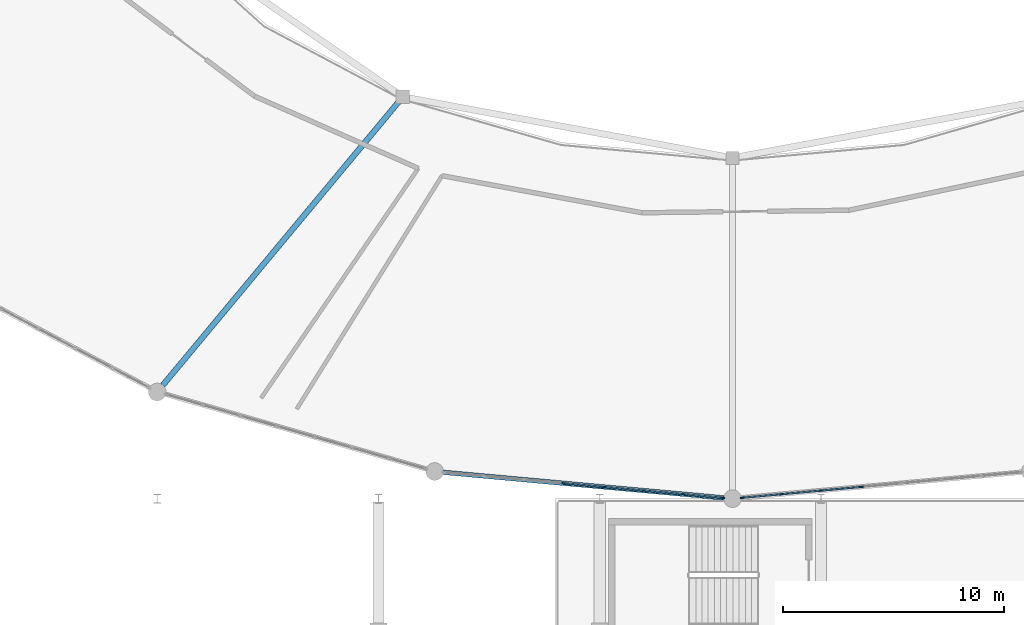
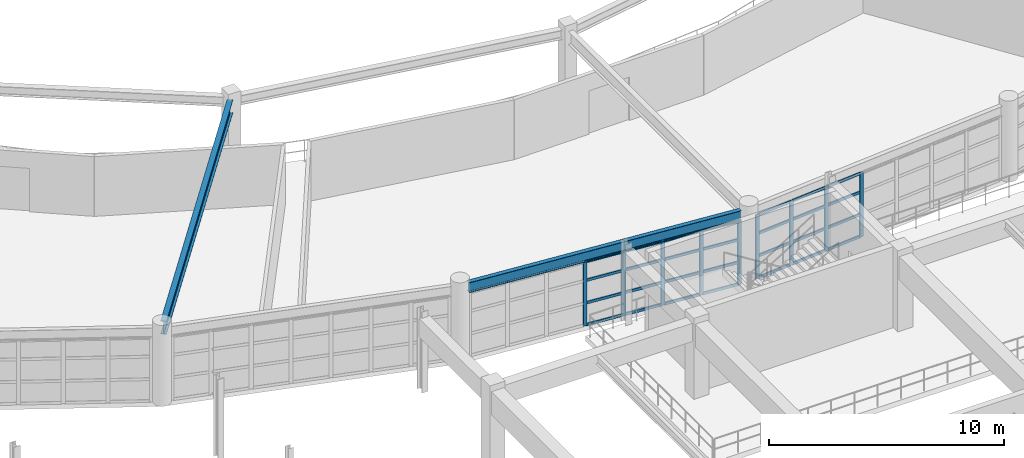
# One storey, part 26 of 100: 37 members, 2 beams, 2 elements without a shape of their own.
"""IFC4 building model written with IfcOpenShell, lengths in metres."""

from ifc_helpers import new_model, si_unit, direction, frame, origin, origin_2d, place, context, subcontext, project, spatial, rectangle, i_section, extrude, material, layer, layer_set, material_profile, profile_set, type_object, element, aggregate, save


model = new_model("IFC4")

# Units and contexts
model_context = context("Model", 3, precision=1e-05, world=origin(), true_north=direction((0.0, 1.0)))
body_context = subcontext(model_context, "Body", "Model", "MODEL_VIEW")
ifc_project = project(units=[si_unit("LENGTHUNIT", "METRE"), si_unit("AREAUNIT", "SQUARE_METRE"), si_unit("VOLUMEUNIT", "CUBIC_METRE"), si_unit("PLANEANGLEUNIT", "RADIAN"), si_unit("MASSUNIT", "GRAM", prefix="KILO")], contexts=[model_context])

# Site, building, storey
site_placement = place(None, origin())
site = spatial("IfcSite", under=ifc_project, at=site_placement, CompositionType="ELEMENT")
building_placement = place(site_placement, origin())
building = spatial("IfcBuilding", under=site, at=building_placement, Name="Kivolera Central Railway Station", CompositionType="ELEMENT")
storey_placement = place(building_placement, frame((0.0, 0.0, 5.39990234375)))
storey = spatial("IfcBuildingStorey", under=building, at=storey_placement, Name="L01", CompositionType="ELEMENT", Elevation=5.39990234375)

# Beams
ifc_material_1 = material(Name="Steel S355", Category="steel")
ifc_material_profile_1 = material_profile(ifc_material_1, i_section(OverallWidth=0.209228515625, OverallDepth=0.533203125, WebThickness=0.010009765625, FlangeThickness=0.015625, FilletRadius=0.0126953125, at=origin_2d()), Name="UB 533x210x92")
ifc_profile_set_1 = profile_set([ifc_material_profile_1], Name="Steel S355")
beam_type_1 = type_object("IfcBeamType", Name="BM-SHD-UB533", PredefinedType="BEAM", material=ifc_profile_set_1)
beam_1_placement = place(storey_placement, frame((50.928955078125, 55.19189453125, 3.611083984375), z_axis=(0.9958650324, -0.090845127787, 0.0), x_axis=(0.090845127787, 0.9958650324, 0.0)))
element("IfcBeam", 1, at=beam_1_placement, inside=storey, type_object=beam_type_1, Name="L01 Oval Perimeter Ring Beam 18", PredefinedType="BEAM", context=body_context, shape_type="SweptSolid", body=[
    extrude(i_section(OverallWidth=0.209228515625, OverallDepth=0.533203125, WebThickness=0.010009765625, FlangeThickness=0.015625, FilletRadius=0.0126953125, at=origin_2d()), origin(), (0.0, 0.0, 1.0), 12.73583984375),
])
ifc_material_profile_2 = material_profile(ifc_material_1, i_section(OverallWidth=0.253662109375, OverallDepth=0.68359375, WebThickness=0.012451171875, FlangeThickness=0.01904296875, FilletRadius=0.01513671875, at=origin_2d()), Name="UB 686x254x140")
ifc_profile_set_2 = profile_set([ifc_material_profile_2], Name="Steel S355")
beam_type_2 = type_object("IfcBeamType", Name="BM-SHD-UB686", PredefinedType="BEAM", material=ifc_profile_set_2)
beam_2_placement = place(storey_placement, frame((48.9130859375, 71.93603515625, 3.5361328125), z_axis=(-0.639708903431, -0.76861727724, 0.0), x_axis=(0.76861727724, -0.639708903431, 0.0)))
element("IfcBeam", 2, at=beam_2_placement, inside=storey, type_object=beam_type_2, Name="L01 Oval Gallery Radial Girder 09", PredefinedType="BEAM", context=body_context, shape_type="SweptSolid", body=[
    extrude(i_section(OverallWidth=0.253662109375, OverallDepth=0.68359375, WebThickness=0.012451171875, FlangeThickness=0.01904296875, FilletRadius=0.01513671875, at=origin_2d()), origin(), (0.0, 0.0, 1.0), 16.670166015625),
])

# Curtain wall, members
ifc_material_2 = material(Name="Anodised aluminium", Category="aluminium")
ifc_layer = layer(ifc_material_2, 0.179931640625, Name="Anodised aluminium")
ifc_layer_set = layer_set([ifc_layer], Name="Anodised aluminium")
curtain_wall_type = type_object("IfcCurtainWallType", Name="CW-SYS-12", PredefinedType="NOTDEFINED", material=ifc_layer_set)
curtain_wall_1_placement = place(storey_placement, origin())
curtain_wall_1 = element("IfcCurtainWall", 3, at=curtain_wall_1_placement, inside=storey, type_object=curtain_wall_type, Name="L01 Curtain Wall CW-L01-OVL-17", PredefinedType="NOTDEFINED")
ifc_material_profile_3 = material_profile(ifc_material_2, rectangle(XDim=0.070068359375, YDim=0.179931640625, at=origin_2d()), Name="ALU MULL 70x180")
ifc_profile_set_3 = profile_set([ifc_material_profile_3], Name="Anodised aluminium")
member_type_1 = type_object("IfcMemberType", Name="CWM-MUL-1", PredefinedType="MULLION", material=ifc_profile_set_3)
member_1_placement = place(storey_placement, frame((63.567138671875, 54.0390625, -0.0048828125), z_axis=(0.0, 0.0, 1.0), x_axis=(-0.090833556942, -0.995866087852, 0.0)))
member_1 = element("IfcMember", 4, at=member_1_placement, type_object=member_type_1, Name="CW-12 mullion 1", PredefinedType="MULLION", context=body_context, shape_type="SweptSolid", body=[
    extrude(rectangle(XDim=0.070068359375, YDim=0.179931640625, at=origin_2d()), origin(), (0.0, 0.0, 1.0), 3.344970703125),
])
member_2_placement = place(storey_placement, frame((61.79296875, 54.200927734375, -0.0048828125), z_axis=(0.0, 0.0, 1.0), x_axis=(-0.090833556942, -0.995866087852, 0.0)))
member_2 = element("IfcMember", 5, at=member_2_placement, type_object=member_type_1, Name="CW-12 mullion 2", PredefinedType="MULLION", context=body_context, shape_type="SweptSolid", body=[
    extrude(rectangle(XDim=0.070068359375, YDim=0.179931640625, at=origin_2d()), origin(), (0.0, 0.0, 1.0), 3.344970703125),
])
member_3_placement = place(storey_placement, frame((59.98388671875, 54.365966796875, -0.0048828125), z_axis=(0.0, 0.0, 1.0), x_axis=(-0.090833556942, -0.995866087852, 0.0)))
member_3 = element("IfcMember", 6, at=member_3_placement, type_object=member_type_1, Name="CW-12 mullion 3", PredefinedType="MULLION", context=body_context, shape_type="SweptSolid", body=[
    extrude(rectangle(XDim=0.070068359375, YDim=0.179931640625, at=origin_2d()), origin(), (0.0, 0.0, 1.0), 3.344970703125),
])
member_4_placement = place(storey_placement, frame((58.175048828125, 54.531005859375, -0.0048828125), z_axis=(0.0, 0.0, 1.0), x_axis=(-0.090833556942, -0.995866087852, 0.0)))
member_4 = element("IfcMember", 7, at=member_4_placement, type_object=member_type_1, Name="CW-12 mullion 4", PredefinedType="MULLION", context=body_context, shape_type="SweptSolid", body=[
    extrude(rectangle(XDim=0.070068359375, YDim=0.179931640625, at=origin_2d()), origin(), (0.0, 0.0, 1.0), 3.344970703125),
])
member_5_placement = place(storey_placement, frame((56.365966796875, 54.696044921875, -0.0048828125), z_axis=(0.0, 0.0, 1.0), x_axis=(-0.090833556942, -0.995866087852, 0.0)))
member_5 = element("IfcMember", 8, at=member_5_placement, type_object=member_type_1, Name="CW-12 mullion 5", PredefinedType="MULLION", context=body_context, shape_type="SweptSolid", body=[
    extrude(rectangle(XDim=0.070068359375, YDim=0.179931640625, at=origin_2d()), origin(), (0.0, 0.0, 1.0), 3.344970703125),
])

curtain_wall_2_placement = place(storey_placement, origin())
curtain_wall_2 = element("IfcCurtainWall", 9, at=curtain_wall_2_placement, inside=storey, type_object=curtain_wall_type, Name="L01 Curtain Wall CW-L01-OVL-18", PredefinedType="NOTDEFINED")
member_6_placement = place(storey_placement, frame((69.824951171875, 54.531005859375, -0.0048828125), z_axis=(0.0, 0.0, 1.0), x_axis=(0.090833556942, -0.995866087852, 0.0)))
member_6 = element("IfcMember", 10, at=member_6_placement, type_object=member_type_1, Name="CW-12 mullion 5", PredefinedType="MULLION", context=body_context, shape_type="SweptSolid", body=[
    extrude(rectangle(XDim=0.070068359375, YDim=0.179931640625, at=origin_2d()), origin(), (0.0, 0.0, 1.0), 3.344970703125),
])
member_7_placement = place(storey_placement, frame((68.01611328125, 54.365966796875, -0.0048828125), z_axis=(0.0, 0.0, 1.0), x_axis=(0.090833556942, -0.995866087852, 0.0)))
member_7 = element("IfcMember", 11, at=member_7_placement, type_object=member_type_1, Name="CW-12 mullion 6", PredefinedType="MULLION", context=body_context, shape_type="SweptSolid", body=[
    extrude(rectangle(XDim=0.070068359375, YDim=0.179931640625, at=origin_2d()), origin(), (0.0, 0.0, 1.0), 3.344970703125),
])
member_8_placement = place(storey_placement, frame((66.20703125, 54.200927734375, -0.0048828125), z_axis=(0.0, 0.0, 1.0), x_axis=(0.090833556942, -0.995866087852, 0.0)))
member_8 = element("IfcMember", 12, at=member_8_placement, type_object=member_type_1, Name="CW-12 mullion 7", PredefinedType="MULLION", context=body_context, shape_type="SweptSolid", body=[
    extrude(rectangle(XDim=0.070068359375, YDim=0.179931640625, at=origin_2d()), origin(), (0.0, 0.0, 1.0), 3.344970703125),
])
member_9_placement = place(storey_placement, frame((64.432861328125, 54.0390625, -0.0048828125), z_axis=(0.0, 0.0, 1.0), x_axis=(0.090833556942, -0.995866087852, 0.0)))
member_9 = element("IfcMember", 13, at=member_9_placement, type_object=member_type_1, Name="CW-12 mullion 8", PredefinedType="MULLION", context=body_context, shape_type="SweptSolid", body=[
    extrude(rectangle(XDim=0.070068359375, YDim=0.179931640625, at=origin_2d()), origin(), (0.0, 0.0, 1.0), 3.344970703125),
])

# Member
ifc_material_profile_4 = material_profile(ifc_material_2, rectangle(XDim=0.070068359375, YDim=0.139892578125, at=origin_2d()), Name="ALU TRAN 70x140")
ifc_profile_set_4 = profile_set([ifc_material_profile_4], Name="Anodised aluminium")
member_type_2 = type_object("IfcMemberType", Name="CWM-TRN-1", PredefinedType="USERDEFINED", material=ifc_profile_set_4)
member_10_placement = place(storey_placement, frame((63.5322265625, 54.042236328125, 0.03515625), z_axis=(-0.995862748795, 0.090870157711, 0.0), x_axis=(-0.090870157711, -0.995862748795, 0.0)))
member_10 = element("IfcMember", 14, at=member_10_placement, type_object=member_type_2, Name="CW-12 transom 1.1", ObjectType="TRANSOM", PredefinedType="USERDEFINED", context=body_context, shape_type="SweptSolid", body=[
    extrude(rectangle(XDim=0.070068359375, YDim=0.139892578125, at=origin_2d()), origin(), (0.0, 0.0, 1.0), 1.71142578125),
])

member_11_placement = place(storey_placement, frame((63.5322265625, 54.042236328125, 1.169189453125), z_axis=(-0.995862748795, 0.090870157711, 0.0), x_axis=(-0.090870157711, -0.995862748795, 0.0)))
member_11 = element("IfcMember", 15, at=member_11_placement, type_object=member_type_2, Name="CW-12 transom 1.2", ObjectType="TRANSOM", PredefinedType="USERDEFINED", context=body_context, shape_type="SweptSolid", body=[
    extrude(rectangle(XDim=0.070068359375, YDim=0.139892578125, at=origin_2d()), origin(), (0.0, 0.0, 1.0), 1.71142578125),
])

member_12_placement = place(storey_placement, frame((63.5322265625, 54.042236328125, 2.338134765625), z_axis=(-0.995862748795, 0.090870157711, 0.0), x_axis=(-0.090870157711, -0.995862748795, 0.0)))
member_12 = element("IfcMember", 16, at=member_12_placement, type_object=member_type_2, Name="CW-12 transom 1.3", ObjectType="TRANSOM", PredefinedType="USERDEFINED", context=body_context, shape_type="SweptSolid", body=[
    extrude(rectangle(XDim=0.070068359375, YDim=0.139892578125, at=origin_2d()), origin(), (0.0, 0.0, 1.0), 1.71142578125),
])

member_13_placement = place(storey_placement, frame((63.5322265625, 54.042236328125, 3.30517578125), z_axis=(-0.995862748795, 0.090870157711, 0.0), x_axis=(-0.090870157711, -0.995862748795, 0.0)))
member_13 = element("IfcMember", 17, at=member_13_placement, type_object=member_type_2, Name="CW-12 transom 1.4", ObjectType="TRANSOM", PredefinedType="USERDEFINED", context=body_context, shape_type="SweptSolid", body=[
    extrude(rectangle(XDim=0.070068359375, YDim=0.139892578125, at=origin_2d()), origin(), (0.0, 0.0, 1.0), 1.71142578125),
])

member_14_placement = place(storey_placement, frame((61.758056640625, 54.2041015625, 0.03515625), z_axis=(-0.995863361258, 0.09086344537, 0.0), x_axis=(-0.09086344537, -0.995863361258, 0.0)))
member_14 = element("IfcMember", 18, at=member_14_placement, type_object=member_type_2, Name="CW-12 transom 2.1", ObjectType="TRANSOM", PredefinedType="USERDEFINED", context=body_context, shape_type="SweptSolid", body=[
    extrude(rectangle(XDim=0.070068359375, YDim=0.139892578125, at=origin_2d()), origin(), (0.0, 0.0, 1.0), 1.74658203125),
])

member_15_placement = place(storey_placement, frame((61.758056640625, 54.2041015625, 1.169189453125), z_axis=(-0.995863361258, 0.09086344537, 0.0), x_axis=(-0.09086344537, -0.995863361258, 0.0)))
member_15 = element("IfcMember", 19, at=member_15_placement, type_object=member_type_2, Name="CW-12 transom 2.2", ObjectType="TRANSOM", PredefinedType="USERDEFINED", context=body_context, shape_type="SweptSolid", body=[
    extrude(rectangle(XDim=0.070068359375, YDim=0.139892578125, at=origin_2d()), origin(), (0.0, 0.0, 1.0), 1.74658203125),
])

member_16_placement = place(storey_placement, frame((61.758056640625, 54.2041015625, 2.338134765625), z_axis=(-0.995863361258, 0.09086344537, 0.0), x_axis=(-0.09086344537, -0.995863361258, 0.0)))
member_16 = element("IfcMember", 20, at=member_16_placement, type_object=member_type_2, Name="CW-12 transom 2.3", ObjectType="TRANSOM", PredefinedType="USERDEFINED", context=body_context, shape_type="SweptSolid", body=[
    extrude(rectangle(XDim=0.070068359375, YDim=0.139892578125, at=origin_2d()), origin(), (0.0, 0.0, 1.0), 1.74658203125),
])

member_17_placement = place(storey_placement, frame((61.758056640625, 54.2041015625, 3.30517578125), z_axis=(-0.995863361258, 0.09086344537, 0.0), x_axis=(-0.09086344537, -0.995863361258, 0.0)))
member_17 = element("IfcMember", 21, at=member_17_placement, type_object=member_type_2, Name="CW-12 transom 2.4", ObjectType="TRANSOM", PredefinedType="USERDEFINED", context=body_context, shape_type="SweptSolid", body=[
    extrude(rectangle(XDim=0.070068359375, YDim=0.139892578125, at=origin_2d()), origin(), (0.0, 0.0, 1.0), 1.74658203125),
])

member_18_placement = place(storey_placement, frame((59.94921875, 54.369140625, 0.03515625), z_axis=(-0.995863361258, 0.09086344537, 0.0), x_axis=(-0.09086344537, -0.995863361258, 0.0)))
member_18 = element("IfcMember", 22, at=member_18_placement, type_object=member_type_2, Name="CW-12 transom 3.1", ObjectType="TRANSOM", PredefinedType="USERDEFINED", context=body_context, shape_type="SweptSolid", body=[
    extrude(rectangle(XDim=0.070068359375, YDim=0.139892578125, at=origin_2d()), origin(), (0.0, 0.0, 1.0), 1.74658203125),
])

member_19_placement = place(storey_placement, frame((59.94921875, 54.369140625, 1.169189453125), z_axis=(-0.995863361258, 0.09086344537, 0.0), x_axis=(-0.09086344537, -0.995863361258, 0.0)))
member_19 = element("IfcMember", 23, at=member_19_placement, type_object=member_type_2, Name="CW-12 transom 3.2", ObjectType="TRANSOM", PredefinedType="USERDEFINED", context=body_context, shape_type="SweptSolid", body=[
    extrude(rectangle(XDim=0.070068359375, YDim=0.139892578125, at=origin_2d()), origin(), (0.0, 0.0, 1.0), 1.74658203125),
])

member_20_placement = place(storey_placement, frame((59.94921875, 54.369140625, 2.338134765625), z_axis=(-0.995863361258, 0.09086344537, 0.0), x_axis=(-0.09086344537, -0.995863361258, 0.0)))
member_20 = element("IfcMember", 24, at=member_20_placement, type_object=member_type_2, Name="CW-12 transom 3.3", ObjectType="TRANSOM", PredefinedType="USERDEFINED", context=body_context, shape_type="SweptSolid", body=[
    extrude(rectangle(XDim=0.070068359375, YDim=0.139892578125, at=origin_2d()), origin(), (0.0, 0.0, 1.0), 1.74658203125),
])

member_21_placement = place(storey_placement, frame((59.94921875, 54.369140625, 3.30517578125), z_axis=(-0.995863361258, 0.09086344537, 0.0), x_axis=(-0.09086344537, -0.995863361258, 0.0)))
member_21 = element("IfcMember", 25, at=member_21_placement, type_object=member_type_2, Name="CW-12 transom 3.4", ObjectType="TRANSOM", PredefinedType="USERDEFINED", context=body_context, shape_type="SweptSolid", body=[
    extrude(rectangle(XDim=0.070068359375, YDim=0.139892578125, at=origin_2d()), origin(), (0.0, 0.0, 1.0), 1.74658203125),
])

member_22_placement = place(storey_placement, frame((58.14013671875, 54.5341796875, 0.03515625), z_axis=(-0.995863361258, 0.09086344537, 0.0), x_axis=(-0.09086344537, -0.995863361258, 0.0)))
member_22 = element("IfcMember", 26, at=member_22_placement, type_object=member_type_2, Name="CW-12 transom 4.1", ObjectType="TRANSOM", PredefinedType="USERDEFINED", context=body_context, shape_type="SweptSolid", body=[
    extrude(rectangle(XDim=0.070068359375, YDim=0.139892578125, at=origin_2d()), origin(), (0.0, 0.0, 1.0), 1.74658203125),
])

member_23_placement = place(storey_placement, frame((58.14013671875, 54.5341796875, 1.169189453125), z_axis=(-0.995863361258, 0.09086344537, 0.0), x_axis=(-0.09086344537, -0.995863361258, 0.0)))
member_23 = element("IfcMember", 27, at=member_23_placement, type_object=member_type_2, Name="CW-12 transom 4.2", ObjectType="TRANSOM", PredefinedType="USERDEFINED", context=body_context, shape_type="SweptSolid", body=[
    extrude(rectangle(XDim=0.070068359375, YDim=0.139892578125, at=origin_2d()), origin(), (0.0, 0.0, 1.0), 1.74658203125),
])

member_24_placement = place(storey_placement, frame((58.14013671875, 54.5341796875, 2.338134765625), z_axis=(-0.995863361258, 0.09086344537, 0.0), x_axis=(-0.09086344537, -0.995863361258, 0.0)))
member_24 = element("IfcMember", 28, at=member_24_placement, type_object=member_type_2, Name="CW-12 transom 4.3", ObjectType="TRANSOM", PredefinedType="USERDEFINED", context=body_context, shape_type="SweptSolid", body=[
    extrude(rectangle(XDim=0.070068359375, YDim=0.139892578125, at=origin_2d()), origin(), (0.0, 0.0, 1.0), 1.74658203125),
])

member_25_placement = place(storey_placement, frame((58.14013671875, 54.5341796875, 3.30517578125), z_axis=(-0.995863361258, 0.09086344537, 0.0), x_axis=(-0.09086344537, -0.995863361258, 0.0)))
member_25 = element("IfcMember", 29, at=member_25_placement, type_object=member_type_2, Name="CW-12 transom 4.4", ObjectType="TRANSOM", PredefinedType="USERDEFINED", context=body_context, shape_type="SweptSolid", body=[
    extrude(rectangle(XDim=0.070068359375, YDim=0.139892578125, at=origin_2d()), origin(), (0.0, 0.0, 1.0), 1.74658203125),
])

aggregate(curtain_wall_1, [member_1, member_2, member_3, member_4, member_5, member_10, member_11, member_12, member_13, member_14, member_15, member_16, member_17, member_18, member_19, member_20, member_21, member_22, member_23, member_24, member_25])

member_26_placement = place(storey_placement, frame((69.7900390625, 54.52783203125, 0.03515625), z_axis=(-0.995863361258, -0.09086344537, 0.0), x_axis=(0.09086344537, -0.995863361258, 0.0)))
member_26 = element("IfcMember", 30, at=member_26_placement, type_object=member_type_2, Name="CW-12 transom 5.1", ObjectType="TRANSOM", PredefinedType="USERDEFINED", context=body_context, shape_type="SweptSolid", body=[
    extrude(rectangle(XDim=0.070068359375, YDim=0.139892578125, at=origin_2d()), origin(), (0.0, 0.0, 1.0), 1.74658203125),
])

member_27_placement = place(storey_placement, frame((69.7900390625, 54.52783203125, 1.169189453125), z_axis=(-0.995863361258, -0.09086344537, 0.0), x_axis=(0.09086344537, -0.995863361258, 0.0)))
member_27 = element("IfcMember", 31, at=member_27_placement, type_object=member_type_2, Name="CW-12 transom 5.2", ObjectType="TRANSOM", PredefinedType="USERDEFINED", context=body_context, shape_type="SweptSolid", body=[
    extrude(rectangle(XDim=0.070068359375, YDim=0.139892578125, at=origin_2d()), origin(), (0.0, 0.0, 1.0), 1.74658203125),
])

member_28_placement = place(storey_placement, frame((69.7900390625, 54.52783203125, 2.338134765625), z_axis=(-0.995863361258, -0.09086344537, 0.0), x_axis=(0.09086344537, -0.995863361258, 0.0)))
member_28 = element("IfcMember", 32, at=member_28_placement, type_object=member_type_2, Name="CW-12 transom 5.3", ObjectType="TRANSOM", PredefinedType="USERDEFINED", context=body_context, shape_type="SweptSolid", body=[
    extrude(rectangle(XDim=0.070068359375, YDim=0.139892578125, at=origin_2d()), origin(), (0.0, 0.0, 1.0), 1.74658203125),
])

member_29_placement = place(storey_placement, frame((69.7900390625, 54.52783203125, 3.30517578125), z_axis=(-0.995863361258, -0.09086344537, 0.0), x_axis=(0.09086344537, -0.995863361258, 0.0)))
member_29 = element("IfcMember", 33, at=member_29_placement, type_object=member_type_2, Name="CW-12 transom 5.4", ObjectType="TRANSOM", PredefinedType="USERDEFINED", context=body_context, shape_type="SweptSolid", body=[
    extrude(rectangle(XDim=0.070068359375, YDim=0.139892578125, at=origin_2d()), origin(), (0.0, 0.0, 1.0), 1.74658203125),
])

member_30_placement = place(storey_placement, frame((67.981201171875, 54.36279296875, 0.03515625), z_axis=(-0.995863361258, -0.09086344537, 0.0), x_axis=(0.09086344537, -0.995863361258, 0.0)))
member_30 = element("IfcMember", 34, at=member_30_placement, type_object=member_type_2, Name="CW-12 transom 6.1", ObjectType="TRANSOM", PredefinedType="USERDEFINED", context=body_context, shape_type="SweptSolid", body=[
    extrude(rectangle(XDim=0.070068359375, YDim=0.139892578125, at=origin_2d()), origin(), (0.0, 0.0, 1.0), 1.74658203125),
])

member_31_placement = place(storey_placement, frame((67.981201171875, 54.36279296875, 1.169189453125), z_axis=(-0.995863361258, -0.09086344537, 0.0), x_axis=(0.09086344537, -0.995863361258, 0.0)))
member_31 = element("IfcMember", 35, at=member_31_placement, type_object=member_type_2, Name="CW-12 transom 6.2", ObjectType="TRANSOM", PredefinedType="USERDEFINED", context=body_context, shape_type="SweptSolid", body=[
    extrude(rectangle(XDim=0.070068359375, YDim=0.139892578125, at=origin_2d()), origin(), (0.0, 0.0, 1.0), 1.74658203125),
])

member_32_placement = place(storey_placement, frame((67.981201171875, 54.36279296875, 2.338134765625), z_axis=(-0.995863361258, -0.09086344537, 0.0), x_axis=(0.09086344537, -0.995863361258, 0.0)))
member_32 = element("IfcMember", 36, at=member_32_placement, type_object=member_type_2, Name="CW-12 transom 6.3", ObjectType="TRANSOM", PredefinedType="USERDEFINED", context=body_context, shape_type="SweptSolid", body=[
    extrude(rectangle(XDim=0.070068359375, YDim=0.139892578125, at=origin_2d()), origin(), (0.0, 0.0, 1.0), 1.74658203125),
])

member_33_placement = place(storey_placement, frame((67.981201171875, 54.36279296875, 3.30517578125), z_axis=(-0.995863361258, -0.09086344537, 0.0), x_axis=(0.09086344537, -0.995863361258, 0.0)))
member_33 = element("IfcMember", 37, at=member_33_placement, type_object=member_type_2, Name="CW-12 transom 6.4", ObjectType="TRANSOM", PredefinedType="USERDEFINED", context=body_context, shape_type="SweptSolid", body=[
    extrude(rectangle(XDim=0.070068359375, YDim=0.139892578125, at=origin_2d()), origin(), (0.0, 0.0, 1.0), 1.74658203125),
])

member_34_placement = place(storey_placement, frame((66.172119140625, 54.19775390625, 0.03515625), z_axis=(-0.995862748795, -0.090870157711, 0.0), x_axis=(0.090870157711, -0.995862748795, 0.0)))
member_34 = element("IfcMember", 38, at=member_34_placement, type_object=member_type_2, Name="CW-12 transom 7.1", ObjectType="TRANSOM", PredefinedType="USERDEFINED", context=body_context, shape_type="SweptSolid", body=[
    extrude(rectangle(XDim=0.070068359375, YDim=0.139892578125, at=origin_2d()), origin(), (0.0, 0.0, 1.0), 1.71142578125),
])

member_35_placement = place(storey_placement, frame((66.172119140625, 54.19775390625, 1.169189453125), z_axis=(-0.995862748795, -0.090870157711, 0.0), x_axis=(0.090870157711, -0.995862748795, 0.0)))
member_35 = element("IfcMember", 39, at=member_35_placement, type_object=member_type_2, Name="CW-12 transom 7.2", ObjectType="TRANSOM", PredefinedType="USERDEFINED", context=body_context, shape_type="SweptSolid", body=[
    extrude(rectangle(XDim=0.070068359375, YDim=0.139892578125, at=origin_2d()), origin(), (0.0, 0.0, 1.0), 1.71142578125),
])

member_36_placement = place(storey_placement, frame((66.172119140625, 54.19775390625, 2.338134765625), z_axis=(-0.995862748795, -0.090870157711, 0.0), x_axis=(0.090870157711, -0.995862748795, 0.0)))
member_36 = element("IfcMember", 40, at=member_36_placement, type_object=member_type_2, Name="CW-12 transom 7.3", ObjectType="TRANSOM", PredefinedType="USERDEFINED", context=body_context, shape_type="SweptSolid", body=[
    extrude(rectangle(XDim=0.070068359375, YDim=0.139892578125, at=origin_2d()), origin(), (0.0, 0.0, 1.0), 1.71142578125),
])

member_37_placement = place(storey_placement, frame((66.172119140625, 54.19775390625, 3.30517578125), z_axis=(-0.995862748795, -0.090870157711, 0.0), x_axis=(0.090870157711, -0.995862748795, 0.0)))
member_37 = element("IfcMember", 41, at=member_37_placement, type_object=member_type_2, Name="CW-12 transom 7.4", ObjectType="TRANSOM", PredefinedType="USERDEFINED", context=body_context, shape_type="SweptSolid", body=[
    extrude(rectangle(XDim=0.070068359375, YDim=0.139892578125, at=origin_2d()), origin(), (0.0, 0.0, 1.0), 1.71142578125),
])

aggregate(curtain_wall_2, [member_6, member_7, member_8, member_9, member_26, member_27, member_28, member_29, member_30, member_31, member_32, member_33, member_34, member_35, member_36, member_37])

save(model, "model.ifc")
